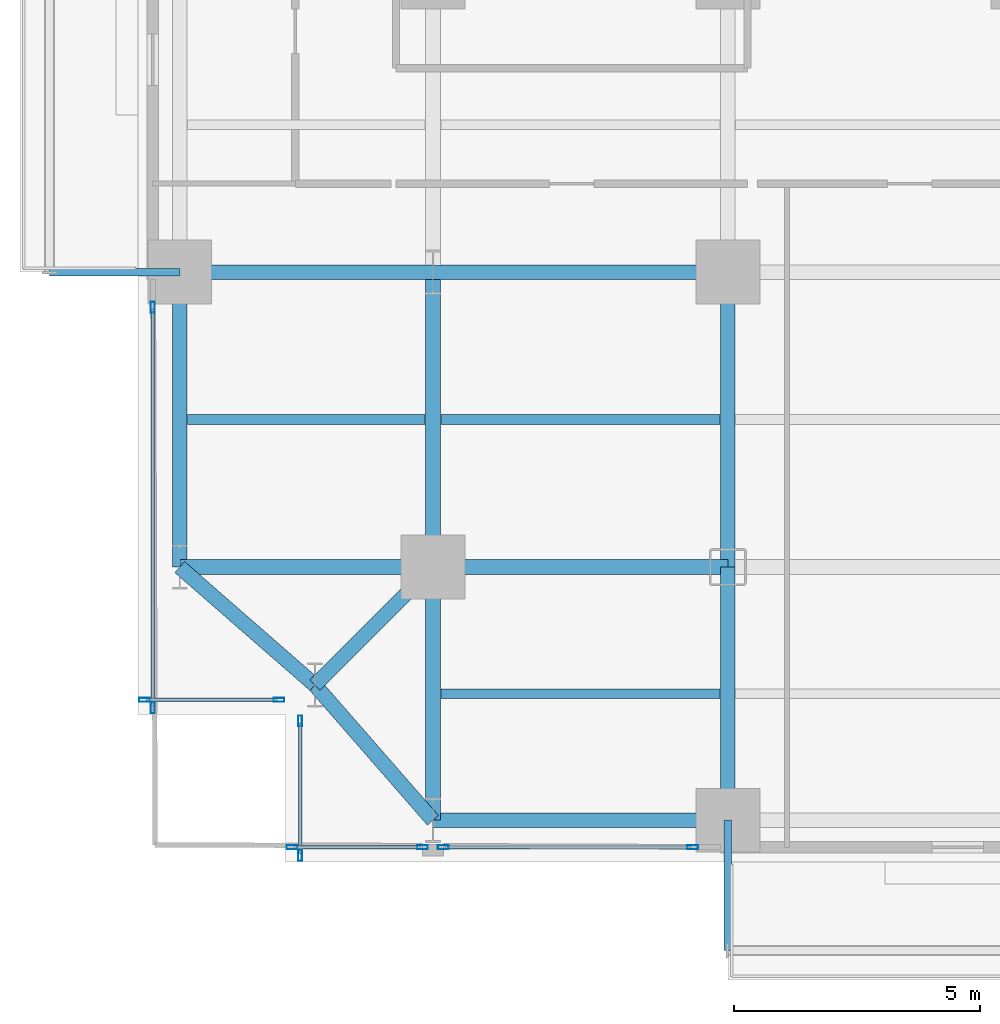
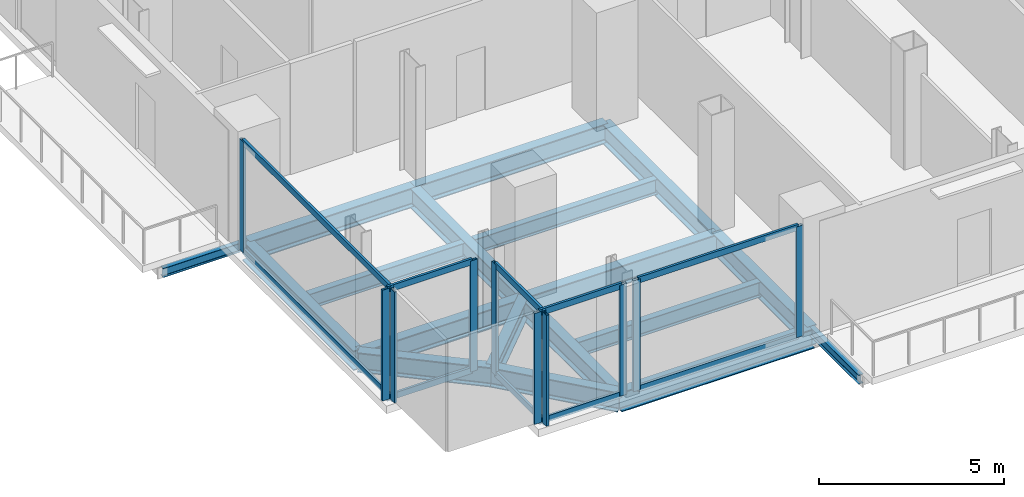
# One storey, part 2 of 25: 20 members, 18 beams, 5 elements without a shape of their own.
"""IFC4 building model written with IfcOpenShell, lengths in metres."""

from ifc_helpers import new_model, si_unit, direction, frame, origin, origin_2d, place, context, subcontext, project, spatial, hollow_rectangle, i_section, extrude, material, layer, layer_set, material_profile, profile_set, type_object, element, aggregate, save


model = new_model("IFC4")

# Units and contexts
model_context = context("Model", 3, precision=1e-05, world=origin(), true_north=direction((0.0, 1.0)))
body_context = subcontext(model_context, "Body", "Model", "MODEL_VIEW")
ifc_project = project(units=[si_unit("LENGTHUNIT", "METRE"), si_unit("AREAUNIT", "SQUARE_METRE"), si_unit("VOLUMEUNIT", "CUBIC_METRE"), si_unit("PLANEANGLEUNIT", "RADIAN"), si_unit("MASSUNIT", "GRAM", prefix="KILO"), si_unit("THERMODYNAMICTEMPERATUREUNIT", "KELVIN"), si_unit("POWERUNIT", "WATT")], contexts=[model_context])

# Site, building, storey
site_placement = place(None, origin())
site = spatial("IfcSite", under=ifc_project, at=site_placement, CompositionType="ELEMENT")
building_placement = place(site_placement, origin())
building = spatial("IfcBuilding", under=site, at=building_placement, Name="Svarakhadi Broadcast Tower", CompositionType="ELEMENT")
storey_placement = place(building_placement, frame((0.0, 0.0, 32.39990234375)))
storey = spatial("IfcBuildingStorey", under=building, at=storey_placement, Name="L06", CompositionType="ELEMENT", Elevation=32.39990234375)

# Beams
ifc_material_1 = material(Name="Steel S355J2 (IS 2062 E350C)", Category="steel")
ifc_material_profile_1 = material_profile(ifc_material_1, i_section(OverallWidth=0.199951171875, OverallDepth=0.5, WebThickness=0.01025390625, FlangeThickness=0.01611328125, FilletRadius=0.02099609375, at=origin_2d()), Name="NPB 500x200x91")
ifc_profile_set_1 = profile_set([ifc_material_profile_1], Name="Steel S355J2 (IS 2062 E350C)")
beam_type_1 = type_object("IfcBeamType", Name="Beam_NPB500", PredefinedType="BEAM", material=ifc_profile_set_1)
beam_1_placement = place(storey_placement, frame((1.010009765625, 9.0, -0.5), z_axis=(1.0, 0.0, 0.0), x_axis=(0.0, 1.0, 0.0)))
element("IfcBeam", 1, at=beam_1_placement, inside=storey, type_object=beam_type_1, Name="L06 Secondary Composite Beam SB001", PredefinedType="BEAM", context=body_context, shape_type="SweptSolid", body=[
    extrude(i_section(OverallWidth=0.199951171875, OverallDepth=0.5, WebThickness=0.01025390625, FlangeThickness=0.01611328125, FilletRadius=0.02099609375, at=origin_2d()), origin(), (0.0, 0.0, 1.0), 4.830078125),
])
for number, where, z_axis, x_axis, name in (
    (2, (6.159912109375, 3.425048828125, -0.5), (1.0, 0.0, 0.0), (0.0, 1.0, 0.0), "L06 Secondary Composite Beam SB007"),
    (3, (6.159912109375, 9.0, -0.5), (1.0, 0.0, 0.0), (0.0, 1.0, 0.0), "L06 Secondary Composite Beam SB008"),
):
    element("IfcBeam", number, at=place(storey_placement, frame(where, z_axis=z_axis, x_axis=x_axis)), inside=storey, type_object=beam_type_1, Name=name, PredefinedType="BEAM", context=body_context, shape_type="SweptSolid", body=[
        extrude(i_section(OverallWidth=0.199951171875, OverallDepth=0.5, WebThickness=0.01025390625, FlangeThickness=0.01611328125, FilletRadius=0.02099609375, at=origin_2d()), origin(), (0.0, 0.0, 1.0), 5.68017578125),
    ])

# Curtain wall, members
ifc_material_2 = material(Name="Anodised Bronze Aluminium AA 6063-T6", Category="aluminium")
ifc_layer = layer(ifc_material_2, 0.219970703125)
ifc_layer_set = layer_set([ifc_layer], Name="Anodised Bronze Aluminium AA 6063-T6")
curtain_wall_type = type_object("IfcCurtainWallType", Name="CW_Sys_02", PredefinedType="NOTDEFINED", material=ifc_layer_set)
curtain_wall_1_placement = place(storey_placement, origin())
curtain_wall_1 = element("IfcCurtainWall", 4, at=curtain_wall_1_placement, inside=storey, type_object=curtain_wall_type, Name="L06 Unitised Facade Curtain Wall 01", PredefinedType="NOTDEFINED")
ifc_material_profile_2 = material_profile(ifc_material_2, hollow_rectangle(XDim=0.0849609375, YDim=0.219970703125, WallThickness=0.006103515625, at=origin_2d()), Name="ALU MULLION 220x85x6")
ifc_profile_set_2 = profile_set([ifc_material_profile_2], Name="Anodised Bronze Aluminium AA 6063-T6")
member_type_1 = type_object("IfcMemberType", Name="CW_Sys_02_Mul", PredefinedType="MULLION", material=ifc_profile_set_2)
member_1_placement = place(storey_placement, frame((2.867431640625, 3.300048828125, 0.0), z_axis=(0.0, 0.0, 1.0), x_axis=(0.0, -1.0, 0.0)))
member_1 = element("IfcMember", 5, at=member_1_placement, type_object=member_type_1, Name="CW-02 mullion 1", PredefinedType="MULLION", context=body_context, shape_type="SweptSolid", body=[
    extrude(hollow_rectangle(XDim=0.0849609375, YDim=0.219970703125, WallThickness=0.006103515625, at=origin_2d()), origin(), (0.0, 0.0, 1.0), 3.650146484375),
])
member_2_placement = place(storey_placement, frame((0.132568359375, 3.300048828125, 0.0), z_axis=(0.0, 0.0, 1.0), x_axis=(0.0, -1.0, 0.0)))
member_2 = element("IfcMember", 6, at=member_2_placement, type_object=member_type_1, Name="CW-02 mullion 2", PredefinedType="MULLION", context=body_context, shape_type="SweptSolid", body=[
    extrude(hollow_rectangle(XDim=0.0849609375, YDim=0.219970703125, WallThickness=0.006103515625, at=origin_2d()), origin(), (0.0, 0.0, 1.0), 3.650146484375),
])

curtain_wall_2_placement = place(storey_placement, origin())
curtain_wall_2 = element("IfcCurtainWall", 7, at=curtain_wall_2_placement, inside=storey, type_object=curtain_wall_type, Name="L06 West Curtain Wall 02", PredefinedType="NOTDEFINED")
member_3_placement = place(storey_placement, frame((0.300048828125, 3.132568359375, 0.0), z_axis=(0.0, 0.0, 1.0), x_axis=(-1.0, 0.0, 0.0)))
member_3 = element("IfcMember", 8, at=member_3_placement, type_object=member_type_1, Name="CW-02 mullion 1", PredefinedType="MULLION", context=body_context, shape_type="SweptSolid", body=[
    extrude(hollow_rectangle(XDim=0.0849609375, YDim=0.219970703125, WallThickness=0.006103515625, at=origin_2d()), origin(), (0.0, 0.0, 1.0), 3.650146484375),
])
member_4_placement = place(storey_placement, frame((0.300048828125, 11.28759765625, 0.0), z_axis=(0.0, 0.0, 1.0), x_axis=(-1.0, 0.0, 0.0)))
member_4 = element("IfcMember", 9, at=member_4_placement, type_object=member_type_1, Name="CW-02 mullion 2", PredefinedType="MULLION", context=body_context, shape_type="SweptSolid", body=[
    extrude(hollow_rectangle(XDim=0.0849609375, YDim=0.219970703125, WallThickness=0.006103515625, at=origin_2d()), origin(), (0.0, 0.0, 1.0), 3.650146484375),
])

curtain_wall_3_placement = place(storey_placement, origin())
curtain_wall_3 = element("IfcCurtainWall", 10, at=curtain_wall_3_placement, inside=storey, type_object=curtain_wall_type, Name="L06 South Curtain Wall 17 Bay 1", PredefinedType="NOTDEFINED")
member_5_placement = place(storey_placement, frame((11.28759765625, 0.300048828125, 0.0), z_axis=(0.0, 0.0, 1.0), x_axis=(0.0, -1.0, 0.0)))
member_5 = element("IfcMember", 11, at=member_5_placement, type_object=member_type_1, Name="CW-02 mullion 1", PredefinedType="MULLION", context=body_context, shape_type="SweptSolid", body=[
    extrude(hollow_rectangle(XDim=0.0849609375, YDim=0.219970703125, WallThickness=0.006103515625, at=origin_2d()), origin(), (0.0, 0.0, 1.0), 3.650146484375),
])
member_6_placement = place(storey_placement, frame((6.21240234375, 0.300048828125, 0.0), z_axis=(0.0, 0.0, 1.0), x_axis=(0.0, -1.0, 0.0)))
member_6 = element("IfcMember", 12, at=member_6_placement, type_object=member_type_1, Name="CW-02 mullion 2", PredefinedType="MULLION", context=body_context, shape_type="SweptSolid", body=[
    extrude(hollow_rectangle(XDim=0.0849609375, YDim=0.219970703125, WallThickness=0.006103515625, at=origin_2d()), origin(), (0.0, 0.0, 1.0), 3.650146484375),
])

curtain_wall_4_placement = place(storey_placement, origin())
curtain_wall_4 = element("IfcCurtainWall", 13, at=curtain_wall_4_placement, inside=storey, type_object=curtain_wall_type, Name="L06 South Curtain Wall 17 Bay 2", PredefinedType="NOTDEFINED")
member_7_placement = place(storey_placement, frame((5.78759765625, 0.300048828125, 0.0), z_axis=(0.0, 0.0, 1.0), x_axis=(0.0, -1.0, 0.0)))
member_7 = element("IfcMember", 14, at=member_7_placement, type_object=member_type_1, Name="CW-02 mullion 1", PredefinedType="MULLION", context=body_context, shape_type="SweptSolid", body=[
    extrude(hollow_rectangle(XDim=0.0849609375, YDim=0.219970703125, WallThickness=0.006103515625, at=origin_2d()), origin(), (0.0, 0.0, 1.0), 3.650146484375),
])
member_8_placement = place(storey_placement, frame((3.132568359375, 0.300048828125, 0.0), z_axis=(0.0, 0.0, 1.0), x_axis=(0.0, -1.0, 0.0)))
member_8 = element("IfcMember", 15, at=member_8_placement, type_object=member_type_1, Name="CW-02 mullion 2", PredefinedType="MULLION", context=body_context, shape_type="SweptSolid", body=[
    extrude(hollow_rectangle(XDim=0.0849609375, YDim=0.219970703125, WallThickness=0.006103515625, at=origin_2d()), origin(), (0.0, 0.0, 1.0), 3.650146484375),
])

curtain_wall_5_placement = place(storey_placement, origin())
curtain_wall_5 = element("IfcCurtainWall", 16, at=curtain_wall_5_placement, inside=storey, type_object=curtain_wall_type, Name="L06 Unitised Facade Curtain Wall 18", PredefinedType="NOTDEFINED")
member_9_placement = place(storey_placement, frame((3.300048828125, 0.132568359375, 0.0), z_axis=(0.0, 0.0, 1.0), x_axis=(-1.0, 0.0, 0.0)))
member_9 = element("IfcMember", 17, at=member_9_placement, type_object=member_type_1, Name="CW-02 mullion 1", PredefinedType="MULLION", context=body_context, shape_type="SweptSolid", body=[
    extrude(hollow_rectangle(XDim=0.0849609375, YDim=0.219970703125, WallThickness=0.006103515625, at=origin_2d()), origin(), (0.0, 0.0, 1.0), 3.650146484375),
])
member_10_placement = place(storey_placement, frame((3.300048828125, 2.867431640625, 0.0), z_axis=(0.0, 0.0, 1.0), x_axis=(-1.0, 0.0, 0.0)))
member_10 = element("IfcMember", 18, at=member_10_placement, type_object=member_type_1, Name="CW-02 mullion 2", PredefinedType="MULLION", context=body_context, shape_type="SweptSolid", body=[
    extrude(hollow_rectangle(XDim=0.0849609375, YDim=0.219970703125, WallThickness=0.006103515625, at=origin_2d()), origin(), (0.0, 0.0, 1.0), 3.650146484375),
])

# Member
ifc_material_profile_3 = material_profile(ifc_material_2, hollow_rectangle(XDim=0.074951171875, YDim=0.199951171875, WallThickness=0.0048828125, at=origin_2d()), Name="ALU TRANSOM 200x75x5")
ifc_profile_set_3 = profile_set([ifc_material_profile_3], Name="Anodised Bronze Aluminium AA 6063-T6")
member_type_2 = type_object("IfcMemberType", Name="CW_Sys_02_Trn", PredefinedType="USERDEFINED", material=ifc_profile_set_3)
member_11_placement = place(storey_placement, frame((2.824951171875, 3.300048828125, 0.03759765625), z_axis=(-1.0, 0.0, 0.0), x_axis=(0.0, -1.0, 0.0)))
member_11 = element("IfcMember", 19, at=member_11_placement, type_object=member_type_2, Name="CW-02 transom 1.1", ObjectType="TRANSOM", PredefinedType="USERDEFINED", context=body_context, shape_type="SweptSolid", body=[
    extrude(hollow_rectangle(XDim=0.074951171875, YDim=0.199951171875, WallThickness=0.0048828125, at=origin_2d()), origin(), (0.0, 0.0, 1.0), 2.64990234375),
])

member_12_placement = place(storey_placement, frame((2.824951171875, 3.300048828125, 3.612548828125), z_axis=(-1.0, 0.0, 0.0), x_axis=(0.0, -1.0, 0.0)))
member_12 = element("IfcMember", 20, at=member_12_placement, type_object=member_type_2, Name="CW-02 transom 1.2", ObjectType="TRANSOM", PredefinedType="USERDEFINED", context=body_context, shape_type="SweptSolid", body=[
    extrude(hollow_rectangle(XDim=0.074951171875, YDim=0.199951171875, WallThickness=0.0048828125, at=origin_2d()), origin(), (0.0, 0.0, 1.0), 2.64990234375),
])

aggregate(curtain_wall_1, [member_1, member_2, member_11, member_12])

member_13_placement = place(storey_placement, frame((0.300048828125, 3.175048828125, 0.03759765625), z_axis=(0.0, 1.0, 0.0), x_axis=(-1.0, 0.0, 0.0)))
member_13 = element("IfcMember", 21, at=member_13_placement, type_object=member_type_2, Name="CW-02 transom 1.1", ObjectType="TRANSOM", PredefinedType="USERDEFINED", context=body_context, shape_type="SweptSolid", body=[
    extrude(hollow_rectangle(XDim=0.074951171875, YDim=0.199951171875, WallThickness=0.0048828125, at=origin_2d()), origin(), (0.0, 0.0, 1.0), 8.070068359375),
])

member_14_placement = place(storey_placement, frame((0.300048828125, 3.175048828125, 3.612548828125), z_axis=(0.0, 1.0, 0.0), x_axis=(-1.0, 0.0, 0.0)))
member_14 = element("IfcMember", 22, at=member_14_placement, type_object=member_type_2, Name="CW-02 transom 1.2", ObjectType="TRANSOM", PredefinedType="USERDEFINED", context=body_context, shape_type="SweptSolid", body=[
    extrude(hollow_rectangle(XDim=0.074951171875, YDim=0.199951171875, WallThickness=0.0048828125, at=origin_2d()), origin(), (0.0, 0.0, 1.0), 8.070068359375),
])

aggregate(curtain_wall_2, [member_3, member_4, member_13, member_14])

member_15_placement = place(storey_placement, frame((11.2451171875, 0.300048828125, 0.03759765625), z_axis=(-1.0, 0.0, 0.0), x_axis=(0.0, -1.0, 0.0)))
member_15 = element("IfcMember", 23, at=member_15_placement, type_object=member_type_2, Name="CW-02 transom 1.1", ObjectType="TRANSOM", PredefinedType="USERDEFINED", context=body_context, shape_type="SweptSolid", body=[
    extrude(hollow_rectangle(XDim=0.074951171875, YDim=0.199951171875, WallThickness=0.0048828125, at=origin_2d()), origin(), (0.0, 0.0, 1.0), 4.990234375),
])

member_16_placement = place(storey_placement, frame((11.2451171875, 0.300048828125, 3.612548828125), z_axis=(-1.0, 0.0, 0.0), x_axis=(0.0, -1.0, 0.0)))
member_16 = element("IfcMember", 24, at=member_16_placement, type_object=member_type_2, Name="CW-02 transom 1.2", ObjectType="TRANSOM", PredefinedType="USERDEFINED", context=body_context, shape_type="SweptSolid", body=[
    extrude(hollow_rectangle(XDim=0.074951171875, YDim=0.199951171875, WallThickness=0.0048828125, at=origin_2d()), origin(), (0.0, 0.0, 1.0), 4.990234375),
])

aggregate(curtain_wall_3, [member_5, member_6, member_15, member_16])

member_17_placement = place(storey_placement, frame((5.7451171875, 0.300048828125, 0.03759765625), z_axis=(-1.0, 0.0, 0.0), x_axis=(0.0, -1.0, 0.0)))
member_17 = element("IfcMember", 25, at=member_17_placement, type_object=member_type_2, Name="CW-02 transom 1.1", ObjectType="TRANSOM", PredefinedType="USERDEFINED", context=body_context, shape_type="SweptSolid", body=[
    extrude(hollow_rectangle(XDim=0.074951171875, YDim=0.199951171875, WallThickness=0.0048828125, at=origin_2d()), origin(), (0.0, 0.0, 1.0), 2.570068359375),
])

member_18_placement = place(storey_placement, frame((5.7451171875, 0.300048828125, 3.612548828125), z_axis=(-1.0, 0.0, 0.0), x_axis=(0.0, -1.0, 0.0)))
member_18 = element("IfcMember", 26, at=member_18_placement, type_object=member_type_2, Name="CW-02 transom 1.2", ObjectType="TRANSOM", PredefinedType="USERDEFINED", context=body_context, shape_type="SweptSolid", body=[
    extrude(hollow_rectangle(XDim=0.074951171875, YDim=0.199951171875, WallThickness=0.0048828125, at=origin_2d()), origin(), (0.0, 0.0, 1.0), 2.570068359375),
])

aggregate(curtain_wall_4, [member_7, member_8, member_17, member_18])

member_19_placement = place(storey_placement, frame((3.300048828125, 0.175048828125, 0.03759765625), z_axis=(0.0, 1.0, 0.0), x_axis=(-1.0, 0.0, 0.0)))
member_19 = element("IfcMember", 27, at=member_19_placement, type_object=member_type_2, Name="CW-02 transom 1.1", ObjectType="TRANSOM", PredefinedType="USERDEFINED", context=body_context, shape_type="SweptSolid", body=[
    extrude(hollow_rectangle(XDim=0.074951171875, YDim=0.199951171875, WallThickness=0.0048828125, at=origin_2d()), origin(), (0.0, 0.0, 1.0), 2.64990234375),
])

member_20_placement = place(storey_placement, frame((3.300048828125, 0.175048828125, 3.612548828125), z_axis=(0.0, 1.0, 0.0), x_axis=(-1.0, 0.0, 0.0)))
member_20 = element("IfcMember", 28, at=member_20_placement, type_object=member_type_2, Name="CW-02 transom 1.2", ObjectType="TRANSOM", PredefinedType="USERDEFINED", context=body_context, shape_type="SweptSolid", body=[
    extrude(hollow_rectangle(XDim=0.074951171875, YDim=0.199951171875, WallThickness=0.0048828125, at=origin_2d()), origin(), (0.0, 0.0, 1.0), 2.64990234375),
])

aggregate(curtain_wall_5, [member_9, member_10, member_19, member_20])

# Beams
ifc_material_profile_4 = material_profile(ifc_material_1, i_section(OverallWidth=0.300048828125, OverallDepth=0.64990234375, WebThickness=0.01611328125, FlangeThickness=0.031005859375, FilletRadius=0.027099609375, at=origin_2d()), Name="WPB 650x300x225")
ifc_profile_set_4 = profile_set([ifc_material_profile_4], Name="Steel S355J2 (IS 2062 E350C)")
beam_type_2 = type_object("IfcBeamType", Name="Girder_WPB650", PredefinedType="USERDEFINED", material=ifc_profile_set_4)
beam_2_placement = place(storey_placement, frame((3.60009765625, 3.60009765625, -0.574951171875), z_axis=(0.707106781187, 0.707106781187, 0.0), x_axis=(-0.707106781187, 0.707106781187, 0.0)))
element("IfcBeam", 29, at=beam_2_placement, inside=storey, type_object=beam_type_2, Name="L06 Corner Tie Girder G001", ObjectType="GIRDER", PredefinedType="USERDEFINED", context=body_context, shape_type="SweptSolid", body=[
    extrude(i_section(OverallWidth=0.300048828125, OverallDepth=0.64990234375, WebThickness=0.01611328125, FlangeThickness=0.031005859375, FilletRadius=0.027099609375, at=origin_2d()), origin(), (0.0, 0.0, 1.0), 3.39404296875),
])
for number, where, z_axis, x_axis, name in (
    (30, (3.60009765625, 3.60009765625, -0.574951171875), (-0.753437912176, 0.657519058655, 0.0), (-0.657519058655, -0.753437912176, 0.0), "L06 Corner Tie Girder G002"),
    (31, (3.60009765625, 3.60009765625, -0.574951171875), (0.657519058655, -0.753437912176, 0.0), (0.753437912176, 0.657519058655, 0.0), "L06 Corner Tie Girder G003"),
):
    element("IfcBeam", number, at=place(storey_placement, frame(where, z_axis=z_axis, x_axis=x_axis)), inside=storey, type_object=beam_type_2, Name=name, ObjectType="GIRDER", PredefinedType="USERDEFINED", context=body_context, shape_type="SweptSolid", body=[
        extrude(i_section(OverallWidth=0.300048828125, OverallDepth=0.64990234375, WebThickness=0.01611328125, FlangeThickness=0.031005859375, FilletRadius=0.027099609375, at=origin_2d()), origin(), (0.0, 0.0, 1.0), 3.64990234375),
    ])
beam_3_placement = place(storey_placement, frame((6.0, 0.85009765625, -0.574951171875), z_axis=(1.0, 0.0, 0.0), x_axis=(0.0, 1.0, 0.0)))
element("IfcBeam", 32, at=beam_3_placement, inside=storey, type_object=beam_type_2, Name="L06 Primary E-W Girder G004", ObjectType="GIRDER", PredefinedType="USERDEFINED", context=body_context, shape_type="SweptSolid", body=[
    extrude(i_section(OverallWidth=0.300048828125, OverallDepth=0.64990234375, WebThickness=0.01611328125, FlangeThickness=0.031005859375, FilletRadius=0.027099609375, at=origin_2d()), origin(), (0.0, 0.0, 1.0), 6.0),
])
beam_4_placement = place(storey_placement, frame((0.85009765625, 6.0, -0.574951171875), z_axis=(1.0, 0.0, 0.0), x_axis=(0.0, 1.0, 0.0)))
element("IfcBeam", 33, at=beam_4_placement, inside=storey, type_object=beam_type_2, Name="L06 Primary E-W Girder G011", ObjectType="GIRDER", PredefinedType="USERDEFINED", context=body_context, shape_type="SweptSolid", body=[
    extrude(i_section(OverallWidth=0.300048828125, OverallDepth=0.64990234375, WebThickness=0.01611328125, FlangeThickness=0.031005859375, FilletRadius=0.027099609375, at=origin_2d()), origin(), (0.0, 0.0, 1.0), 5.14990234375),
])
beam_5_placement = place(storey_placement, frame((6.0, 6.0, -0.574951171875), z_axis=(1.0, 0.0, 0.0), x_axis=(0.0, 1.0, 0.0)))
element("IfcBeam", 34, at=beam_5_placement, inside=storey, type_object=beam_type_2, Name="L06 Primary E-W Girder G012", ObjectType="GIRDER", PredefinedType="USERDEFINED", context=body_context, shape_type="SweptSolid", body=[
    extrude(i_section(OverallWidth=0.300048828125, OverallDepth=0.64990234375, WebThickness=0.01611328125, FlangeThickness=0.031005859375, FilletRadius=0.027099609375, at=origin_2d()), origin(), (0.0, 0.0, 1.0), 6.0),
])
beam_6_placement = place(storey_placement, frame((0.85009765625, 12.0, -0.574951171875), z_axis=(1.0, 0.0, 0.0), x_axis=(0.0, 1.0, 0.0)))
element("IfcBeam", 35, at=beam_6_placement, inside=storey, type_object=beam_type_2, Name="L06 Primary E-W Girder G019", ObjectType="GIRDER", PredefinedType="USERDEFINED", context=body_context, shape_type="SweptSolid", body=[
    extrude(i_section(OverallWidth=0.300048828125, OverallDepth=0.64990234375, WebThickness=0.01611328125, FlangeThickness=0.031005859375, FilletRadius=0.027099609375, at=origin_2d()), origin(), (0.0, 0.0, 1.0), 5.14990234375),
])
for number, where, z_axis, x_axis, name in (
    (36, (6.0, 12.0, -0.574951171875), (1.0, 0.0, 0.0), (0.0, 1.0, 0.0), "L06 Primary E-W Girder G020"),
    (37, (0.85009765625, 6.0, -0.574951171875), (0.0, 1.0, 0.0), (-1.0, 0.0, 0.0), "L06 Primary N-S Girder G045"),
):
    element("IfcBeam", number, at=place(storey_placement, frame(where, z_axis=z_axis, x_axis=x_axis)), inside=storey, type_object=beam_type_2, Name=name, ObjectType="GIRDER", PredefinedType="USERDEFINED", context=body_context, shape_type="SweptSolid", body=[
        extrude(i_section(OverallWidth=0.300048828125, OverallDepth=0.64990234375, WebThickness=0.01611328125, FlangeThickness=0.031005859375, FilletRadius=0.027099609375, at=origin_2d()), origin(), (0.0, 0.0, 1.0), 6.0),
    ])
beam_7_placement = place(storey_placement, frame((6.0, 0.85009765625, -0.574951171875), z_axis=(0.0, 1.0, 0.0), x_axis=(-1.0, 0.0, 0.0)))
element("IfcBeam", 38, at=beam_7_placement, inside=storey, type_object=beam_type_2, Name="L06 Primary N-S Girder G051", ObjectType="GIRDER", PredefinedType="USERDEFINED", context=body_context, shape_type="SweptSolid", body=[
    extrude(i_section(OverallWidth=0.300048828125, OverallDepth=0.64990234375, WebThickness=0.01611328125, FlangeThickness=0.031005859375, FilletRadius=0.027099609375, at=origin_2d()), origin(), (0.0, 0.0, 1.0), 5.14990234375),
])
beam_8_placement = place(storey_placement, frame((6.0, 6.0, -0.574951171875), z_axis=(0.0, 1.0, 0.0), x_axis=(-1.0, 0.0, 0.0)))
element("IfcBeam", 39, at=beam_8_placement, inside=storey, type_object=beam_type_2, Name="L06 Primary N-S Girder G052", ObjectType="GIRDER", PredefinedType="USERDEFINED", context=body_context, shape_type="SweptSolid", body=[
    extrude(i_section(OverallWidth=0.300048828125, OverallDepth=0.64990234375, WebThickness=0.01611328125, FlangeThickness=0.031005859375, FilletRadius=0.027099609375, at=origin_2d()), origin(), (0.0, 0.0, 1.0), 6.0),
])
beam_9_placement = place(storey_placement, frame((12.0, 0.85009765625, -0.574951171875), z_axis=(0.0, 1.0, 0.0), x_axis=(-1.0, 0.0, 0.0)))
element("IfcBeam", 40, at=beam_9_placement, inside=storey, type_object=beam_type_2, Name="L06 Primary N-S Girder G058", ObjectType="GIRDER", PredefinedType="USERDEFINED", context=body_context, shape_type="SweptSolid", body=[
    extrude(i_section(OverallWidth=0.300048828125, OverallDepth=0.64990234375, WebThickness=0.01611328125, FlangeThickness=0.031005859375, FilletRadius=0.027099609375, at=origin_2d()), origin(), (0.0, 0.0, 1.0), 5.14990234375),
])
beam_10_placement = place(storey_placement, frame((12.0, 6.0, -0.574951171875), z_axis=(0.0, 1.0, 0.0), x_axis=(-1.0, 0.0, 0.0)))
element("IfcBeam", 41, at=beam_10_placement, inside=storey, type_object=beam_type_2, Name="L06 Primary N-S Girder G059", ObjectType="GIRDER", PredefinedType="USERDEFINED", context=body_context, shape_type="SweptSolid", body=[
    extrude(i_section(OverallWidth=0.300048828125, OverallDepth=0.64990234375, WebThickness=0.01611328125, FlangeThickness=0.031005859375, FilletRadius=0.027099609375, at=origin_2d()), origin(), (0.0, 0.0, 1.0), 6.0),
])
ifc_material_profile_5 = material_profile(ifc_material_1, i_section(OverallWidth=0.14990234375, OverallDepth=0.300048828125, WebThickness=0.007080078125, FlangeThickness=0.0107421875, FilletRadius=0.014892578125, at=origin_2d()), Name="NPB 300x150x37")
ifc_profile_set_5 = profile_set([ifc_material_profile_5], Name="Steel S355J2 (IS 2062 E350C)")
beam_type_3 = type_object("IfcBeamType", Name="Spandrel_NPB300", PredefinedType="SPANDREL", material=ifc_profile_set_5)
for number, where, z_axis, x_axis, name in (
    (42, (12.0, 0.85009765625, -0.39990234375), (0.0, -1.0, 0.0), (1.0, 0.0, 0.0), "L06 Balcony Cantilever Bracket 1A"),
    (43, (0.85009765625, 12.0, -0.39990234375), (-1.0, 0.0, 0.0), (0.0, -1.0, 0.0), "L06 Balcony Cantilever Bracket 2A"),
):
    element("IfcBeam", number, at=place(storey_placement, frame(where, z_axis=z_axis, x_axis=x_axis)), inside=storey, type_object=beam_type_3, Name=name, PredefinedType="SPANDREL", context=body_context, shape_type="SweptSolid", body=[
        extrude(i_section(OverallWidth=0.14990234375, OverallDepth=0.300048828125, WebThickness=0.007080078125, FlangeThickness=0.0107421875, FilletRadius=0.014892578125, at=origin_2d()), origin(), (0.0, 0.0, 1.0), 2.650146484375),
    ])

save(model, "model.ifc")
